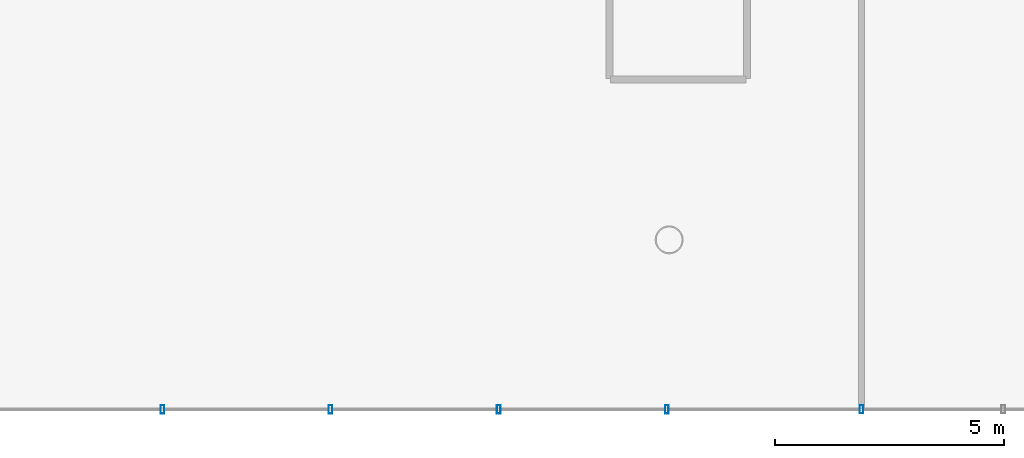
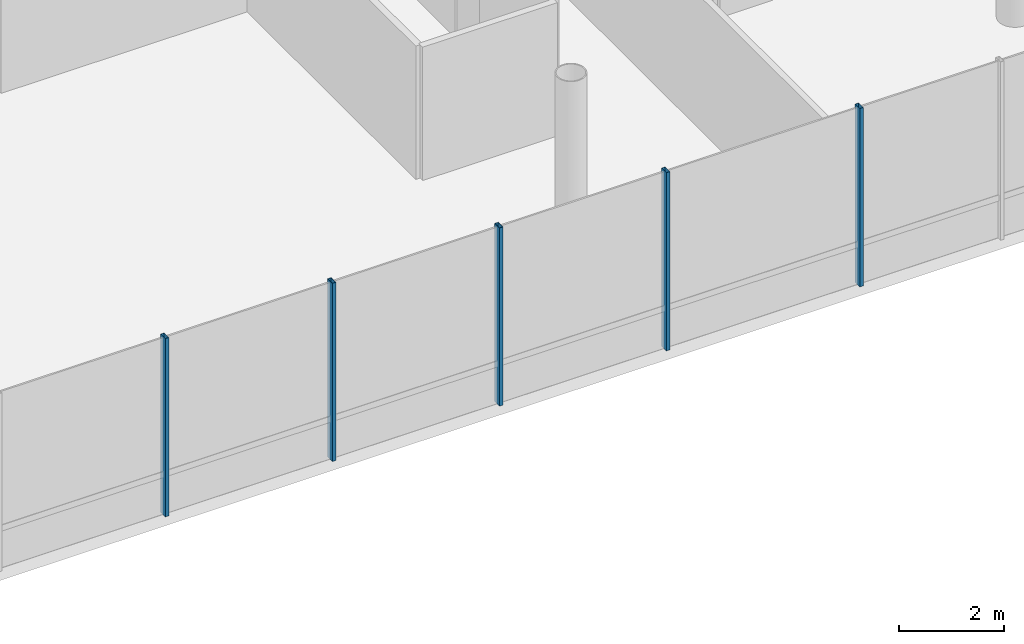
# One storey, part 16 of 43: 5 members, 1 element without a shape of its own.
"""IFC4 building model written with IfcOpenShell, lengths in metres."""

from ifc_helpers import new_model, si_unit, direction, frame, origin, origin_2d, place, context, subcontext, project, spatial, hollow_rectangle, extrude, material, layer, layer_set, material_profile, profile_set, type_object, element, aggregate, save


model = new_model("IFC4")

# Units and contexts
model_context = context("Model", 3, precision=1e-05, world=origin(), true_north=direction((0.0, 1.0)))
body_context = subcontext(model_context, "Body", "Model", "MODEL_VIEW")
ifc_project = project(units=[si_unit("LENGTHUNIT", "METRE"), si_unit("AREAUNIT", "SQUARE_METRE"), si_unit("VOLUMEUNIT", "CUBIC_METRE"), si_unit("PLANEANGLEUNIT", "RADIAN"), si_unit("MASSUNIT", "GRAM", prefix="KILO")], contexts=[model_context])

# Site, building, storey
site_placement = place(None, origin())
site = spatial("IfcSite", under=ifc_project, at=site_placement, CompositionType="ELEMENT")
building_placement = place(site_placement, origin())
building = spatial("IfcBuilding", under=site, at=building_placement, Name="Zarrinselat Tower", CompositionType="ELEMENT")
storey_placement = place(building_placement, frame((0.0, 0.0, 5.10009765625)))
storey = spatial("IfcBuildingStorey", under=building, at=storey_placement, Name="L01", CompositionType="ELEMENT", Elevation=5.10009765625)

# Curtain wall, members
ifc_material_1 = material(Name="Extruded Aluminium Alloy EN AW-6063 T6", Category="aluminium")
ifc_layer = layer(ifc_material_1, 0.2099609375)
ifc_layer_set = layer_set([ifc_layer], Name="Extruded Aluminium Alloy EN AW-6063 T6")
curtain_wall_type = type_object("IfcCurtainWallType", Name="CWS-POD", PredefinedType="NOTDEFINED", material=ifc_layer_set)
curtain_wall_placement = place(storey_placement, origin())
curtain_wall = element("IfcCurtainWall", 1, at=curtain_wall_placement, inside=storey, type_object=curtain_wall_type, Name="L01 Unitised Curtain Wall CW-L01-F1", PredefinedType="NOTDEFINED")
ifc_material_2 = material(Name="Extruded Aluminium Alloy EN AW-6063 T6", Category="aluminium")
ifc_material_profile = material_profile(ifc_material_2, hollow_rectangle(XDim=0.080078125, YDim=0.179931640625, WallThickness=0.0048828125, at=origin_2d()), Name="RHS 180x80x5")
ifc_profile_set = profile_set([ifc_material_profile], Name="Extruded Aluminium Alloy EN AW-6063 T6")
member_type = type_object("IfcMemberType", Name="MEM-CW-MUL", PredefinedType="MULLION", material=ifc_profile_set)
member_1_placement = place(storey_placement, frame((45.739990234375, 4.800048828125, 0.0), z_axis=(0.0, 0.0, 1.0), x_axis=(1.0, 0.0, 0.0)))
member_1 = element("IfcMember", 2, at=member_1_placement, type_object=member_type, Name="CW-L01-F1 Mullion 12", PredefinedType="MULLION", context=body_context, shape_type="SweptSolid", body=[
    extrude(hollow_rectangle(XDim=0.080078125, YDim=0.179931640625, WallThickness=0.0048828125, at=origin_2d()), origin(), (0.0, 0.0, 1.0), 4.139892578125),
])
member_2_placement = place(storey_placement, frame((49.409912109375, 4.800048828125, 0.0), z_axis=(0.0, 0.0, 1.0), x_axis=(1.0, 0.0, 0.0)))
member_2 = element("IfcMember", 3, at=member_2_placement, type_object=member_type, Name="CW-L01-F1 Mullion 13", PredefinedType="MULLION", context=body_context, shape_type="SweptSolid", body=[
    extrude(hollow_rectangle(XDim=0.080078125, YDim=0.179931640625, WallThickness=0.0048828125, at=origin_2d()), origin(), (0.0, 0.0, 1.0), 4.139892578125),
])
member_3_placement = place(storey_placement, frame((53.080078125, 4.800048828125, 0.0), z_axis=(0.0, 0.0, 1.0), x_axis=(1.0, 0.0, 0.0)))
member_3 = element("IfcMember", 4, at=member_3_placement, type_object=member_type, Name="CW-L01-F1 Mullion 14", PredefinedType="MULLION", context=body_context, shape_type="SweptSolid", body=[
    extrude(hollow_rectangle(XDim=0.080078125, YDim=0.179931640625, WallThickness=0.0048828125, at=origin_2d()), origin(), (0.0, 0.0, 1.0), 4.139892578125),
])
member_4_placement = place(storey_placement, frame((56.75, 4.800048828125, 0.0), z_axis=(0.0, 0.0, 1.0), x_axis=(1.0, 0.0, 0.0)))
member_4 = element("IfcMember", 5, at=member_4_placement, type_object=member_type, Name="CW-L01-F1 Mullion 15", PredefinedType="MULLION", context=body_context, shape_type="SweptSolid", body=[
    extrude(hollow_rectangle(XDim=0.080078125, YDim=0.179931640625, WallThickness=0.0048828125, at=origin_2d()), origin(), (0.0, 0.0, 1.0), 4.139892578125),
])
member_5_placement = place(storey_placement, frame((61.0, 4.800048828125, 0.0), z_axis=(0.0, 0.0, 1.0), x_axis=(1.0, 0.0, 0.0)))
member_5 = element("IfcMember", 6, at=member_5_placement, type_object=member_type, Name="CW-L01-F1 Mullion 16", PredefinedType="MULLION", context=body_context, shape_type="SweptSolid", body=[
    extrude(hollow_rectangle(XDim=0.080078125, YDim=0.179931640625, WallThickness=0.0048828125, at=origin_2d()), origin(), (0.0, 0.0, 1.0), 4.139892578125),
])
aggregate(curtain_wall, [member_1, member_2, member_3, member_4, member_5])

save(model, "model.ifc")
